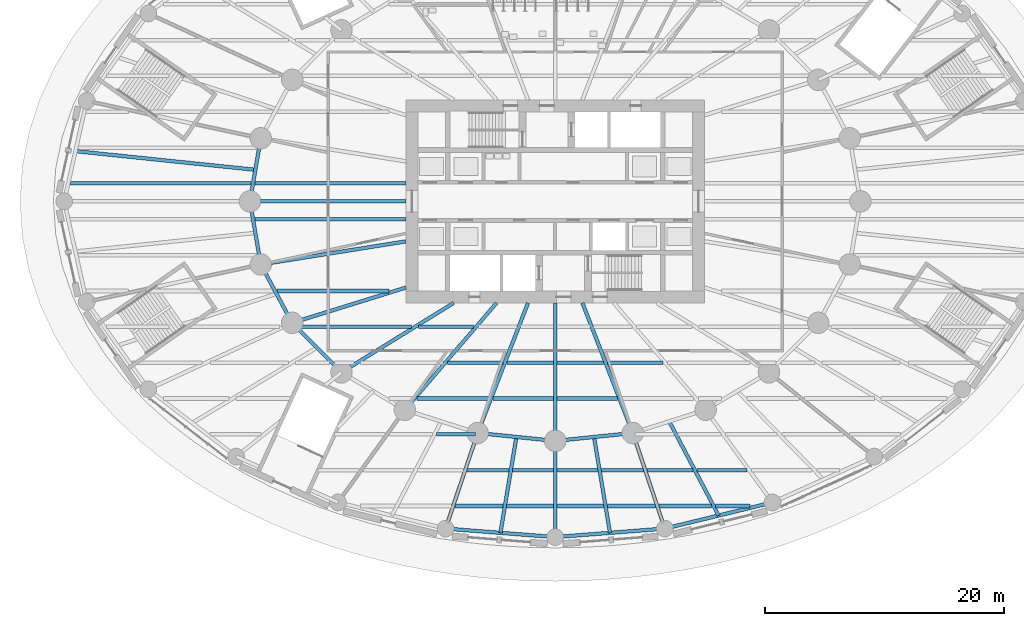
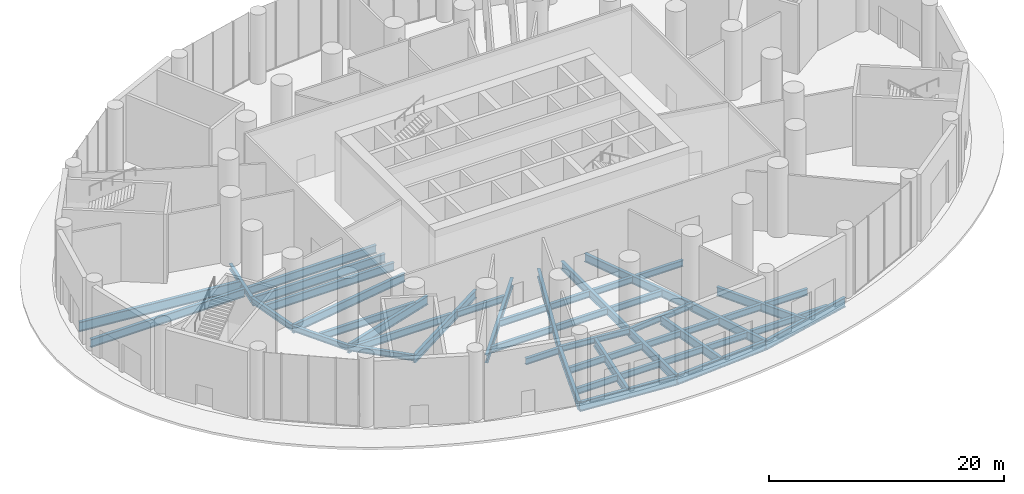
# One storey, part 3 of 22: 50 beams.
"""IFC4 building model written with IfcOpenShell, lengths in metres."""

from ifc_helpers import new_model, si_unit, direction, frame, origin, origin_2d, place, context, subcontext, project, spatial, i_section, extrude, material, material_profile, profile_set, type_object, element, save


model = new_model("IFC4")

# Units and contexts
model_context = context("Model", 3, precision=1e-05, world=origin(), true_north=direction((0.0, 1.0)))
body_context = subcontext(model_context, "Body", "Model", "MODEL_VIEW")
ifc_project = project(units=[si_unit("LENGTHUNIT", "METRE"), si_unit("AREAUNIT", "SQUARE_METRE"), si_unit("VOLUMEUNIT", "CUBIC_METRE"), si_unit("PLANEANGLEUNIT", "RADIAN"), si_unit("MASSUNIT", "GRAM", prefix="KILO")], contexts=[model_context])

# Site, building, storey
site_placement = place(None, origin())
site = spatial("IfcSite", under=ifc_project, at=site_placement, CompositionType="ELEMENT")
building_placement = place(site_placement, origin())
building = spatial("IfcBuilding", under=site, at=building_placement, Name="Hankou Lantern Tower", CompositionType="ELEMENT")
storey_placement = place(building_placement, origin())
storey = spatial("IfcBuildingStorey", under=building, at=storey_placement, Name="L00", CompositionType="ELEMENT", Elevation=0.0)

# Beams
ifc_material_1 = material(Name="Steel Q355B", Category="steel")
ifc_material_profile_1 = material_profile(ifc_material_1, i_section(OverallWidth=0.300048828125, OverallDepth=0.587890625, WebThickness=0.011962890625, FlangeThickness=0.02001953125, FilletRadius=0.01806640625, at=origin_2d()), Name="HM588x300x12x20")
ifc_profile_set_1 = profile_set([ifc_material_profile_1], Name="Steel Q355B")
beam_type_1 = type_object("IfcBeamType", Name="EB16 RING BEAM HM588x300x12x20", PredefinedType="SPANDREL", material=ifc_profile_set_1)
for number, where, z_axis, x_axis, name in (
    (1, (-24.64697265625, 5.283203125, -0.5439453125), (-0.168489691988, -0.985703415685, 0.0), (0.985703415685, -0.168489691988, 0.0), "Ring beam R12-R13 L00"),
    (2, (-25.550048828125, 0.0, -0.5439453125), (0.168489691988, -0.985703415685, 0.0), (0.985703415685, 0.168489691988, 0.0), "Ring beam R13-R14 L00"),
):
    element("IfcBeam", number, at=place(storey_placement, frame(where, z_axis=z_axis, x_axis=x_axis)), inside=storey, type_object=beam_type_1, Name=name, PredefinedType="SPANDREL", context=body_context, shape_type="SweptSolid", body=[
        extrude(i_section(OverallWidth=0.300048828125, OverallDepth=0.587890625, WebThickness=0.011962890625, FlangeThickness=0.02001953125, FilletRadius=0.01806640625, at=origin_2d()), origin(), (0.0, 0.0, 1.0), 5.35986328125),
    ])
beam_1_placement = place(storey_placement, frame((-24.64697265625, -5.283203125, -0.5439453125), z_axis=(0.473609096023, -0.880735161194, 0.0), x_axis=(0.880735161194, 0.473609096023, 0.0)))
element("IfcBeam", 3, at=beam_1_placement, inside=storey, type_object=beam_type_1, Name="Ring beam R14-R15 L00", PredefinedType="SPANDREL", context=body_context, shape_type="SweptSolid", body=[
    extrude(i_section(OverallWidth=0.300048828125, OverallDepth=0.587890625, WebThickness=0.011962890625, FlangeThickness=0.02001953125, FilletRadius=0.01806640625, at=origin_2d()), origin(), (0.0, 0.0, 1.0), 5.548828125),
])
beam_2_placement = place(storey_placement, frame((-22.01904296875, -10.170166015625, -0.5439453125), z_axis=(0.705727798394, -0.708483079949, 0.0), x_axis=(0.708483079949, 0.705727798394, 0.0)))
element("IfcBeam", 4, at=beam_2_placement, inside=storey, type_object=beam_type_1, Name="Ring beam R15-R16 L00", PredefinedType="SPANDREL", context=body_context, shape_type="SweptSolid", body=[
    extrude(i_section(OverallWidth=0.300048828125, OverallDepth=0.587890625, WebThickness=0.011962890625, FlangeThickness=0.02001953125, FilletRadius=0.01806640625, at=origin_2d()), origin(), (0.0, 0.0, 1.0), 5.84814453125),
])
for number, where, z_axis, x_axis, name in (
    (5, (-6.494873046875, -19.391357421875, -0.5439453125), (0.994896616842, -0.100899562915, 0.0), (0.100899562915, 0.994896616842, 0.0), "Ring beam R18-R19 L00"),
    (6, (0.0, -20.050048828125, -0.5439453125), (0.994896616842, 0.100899562915, 0.0), (-0.100899562915, 0.994896616842, 0.0), "Ring beam R19-R20 L00"),
):
    element("IfcBeam", number, at=place(storey_placement, frame(where, z_axis=z_axis, x_axis=x_axis)), inside=storey, type_object=beam_type_1, Name=name, PredefinedType="SPANDREL", context=body_context, shape_type="SweptSolid", body=[
        extrude(i_section(OverallWidth=0.300048828125, OverallDepth=0.587890625, WebThickness=0.011962890625, FlangeThickness=0.02001953125, FilletRadius=0.01806640625, at=origin_2d()), origin(), (0.0, 0.0, 1.0), 6.528076171875),
    ])
ifc_material_2 = material(Name="Steel Q355B", Category="steel")
ifc_material_profile_2 = material_profile(ifc_material_2, i_section(OverallWidth=0.300048828125, OverallDepth=0.89990234375, WebThickness=0.01611328125, FlangeThickness=0.028076171875, FilletRadius=0.01806640625, at=origin_2d()), Name="HN900x300x16x28")
ifc_profile_set_2 = profile_set([ifc_material_profile_2], Name="Steel Q355B")
beam_type_2 = type_object("IfcBeamType", Name="PB13 PODIUM RADIAL BEAM HN900x300x16x28", PredefinedType="BEAM", material=ifc_profile_set_2)
beam_3_placement = place(storey_placement, frame((-6.494873046875, -19.391357421875, -0.699951171875), z_axis=(-0.317599116391, -0.948225079434, 0.0), x_axis=(0.948225079434, -0.317599116391, 0.0)))
element("IfcBeam", 7, at=beam_3_placement, inside=storey, type_object=beam_type_2, Name="Podium radial beam R18 L00", PredefinedType="BEAM", context=body_context, shape_type="SweptSolid", body=[
    extrude(i_section(OverallWidth=0.300048828125, OverallDepth=0.89990234375, WebThickness=0.01611328125, FlangeThickness=0.028076171875, FilletRadius=0.01806640625, at=origin_2d()), origin(), (0.0, 0.0, 1.0), 8.4365234375),
])
beam_4_placement = place(storey_placement, frame((0.0, -20.050048828125, -0.699951171875), z_axis=(0.0, -1.0, 0.0), x_axis=(1.0, 0.0, 0.0)))
element("IfcBeam", 8, at=beam_4_placement, inside=storey, type_object=beam_type_2, Name="Podium radial beam R19 L00", PredefinedType="BEAM", context=body_context, shape_type="SweptSolid", body=[
    extrude(i_section(OverallWidth=0.300048828125, OverallDepth=0.89990234375, WebThickness=0.01611328125, FlangeThickness=0.028076171875, FilletRadius=0.01806640625, at=origin_2d()), origin(), (0.0, 0.0, 1.0), 8.050048828125),
])
beam_5_placement = place(storey_placement, frame((6.494873046875, -19.391357421875, -0.699951171875), z_axis=(0.317599116391, -0.948225079434, 0.0), x_axis=(0.948225079434, 0.317599116391, 0.0)))
element("IfcBeam", 9, at=beam_5_placement, inside=storey, type_object=beam_type_2, Name="Podium radial beam R20 L00", PredefinedType="BEAM", context=body_context, shape_type="SweptSolid", body=[
    extrude(i_section(OverallWidth=0.300048828125, OverallDepth=0.89990234375, WebThickness=0.01611328125, FlangeThickness=0.028076171875, FilletRadius=0.01806640625, at=origin_2d()), origin(), (0.0, 0.0, 1.0), 8.4365234375),
])
ifc_material_3 = material(Name="Steel Q355B", Category="steel")
ifc_material_profile_3 = material_profile(ifc_material_3, i_section(OverallWidth=0.300048828125, OverallDepth=1.0, WebThickness=0.01904296875, FlangeThickness=0.035888671875, FilletRadius=0.01806640625, at=origin_2d()), Name="HN1000x300x19x36")
ifc_profile_set_3 = profile_set([ifc_material_profile_3], Name="Steel Q355B")
beam_type_3 = type_object("IfcBeamType", Name="PR22 PODIUM RING BEAM HN1000x300x19x36", PredefinedType="BEAM", material=ifc_profile_set_3)
for number, where, z_axis, x_axis, name in (
    (10, (-9.17431640625, -27.39111328125, -0.75), (0.997027266507, -0.077049528499, 0.0), (0.077049528499, 0.997027266507, 0.0), "Podium ring beam R18-R19 L00"),
    (11, (0.0, -28.10009765625, -0.75), (0.997027266507, 0.077049528499, 0.0), (-0.077049528499, 0.997027266507, 0.0), "Podium ring beam R19-R20 L00"),
):
    element("IfcBeam", number, at=place(storey_placement, frame(where, z_axis=z_axis, x_axis=x_axis)), inside=storey, type_object=beam_type_3, Name=name, PredefinedType="BEAM", context=body_context, shape_type="SweptSolid", body=[
        extrude(i_section(OverallWidth=0.300048828125, OverallDepth=1.0, WebThickness=0.01904296875, FlangeThickness=0.035888671875, FilletRadius=0.01806640625, at=origin_2d()), origin(), (0.0, 0.0, 1.0), 9.20166015625),
    ])
beam_6_placement = place(storey_placement, frame((9.17431640625, -27.39111328125, -0.75), z_axis=(0.971677242441, 0.23631194748, 0.0), x_axis=(-0.23631194748, 0.971677242441, 0.0)))
element("IfcBeam", 12, at=beam_6_placement, inside=storey, type_object=beam_type_3, Name="Podium ring beam R20-R21 L00", PredefinedType="BEAM", context=body_context, shape_type="SweptSolid", body=[
    extrude(i_section(OverallWidth=0.300048828125, OverallDepth=1.0, WebThickness=0.01904296875, FlangeThickness=0.035888671875, FilletRadius=0.01806640625, at=origin_2d()), origin(), (0.0, 0.0, 1.0), 9.2744140625),
])
ifc_material_4 = material(Name="Steel Q355B", Category="steel")
ifc_material_profile_4 = material_profile(ifc_material_4, i_section(OverallWidth=0.300048828125, OverallDepth=0.89990234375, WebThickness=0.01611328125, FlangeThickness=0.028076171875, FilletRadius=0.01806640625, at=origin_2d()), Name="HN900x300x16x28")
ifc_profile_set_4 = profile_set([ifc_material_profile_4], Name="Steel Q355B")
beam_type_4 = type_object("IfcBeamType", Name="PS13 PODIUM SECONDARY BEAM HN900x300x16x28", PredefinedType="JOIST", material=ifc_profile_set_4)
for number, where, z_axis, x_axis, name in (
    (13, (-3.24755859375, -19.720703125, -0.699951171875), (-0.164652019445, -0.986351718452, 0.0), (0.986351718452, -0.164652019445, 0.0), "Podium secondary beam bay R18 L00"),
    (14, (3.24755859375, -19.720703125, -0.699951171875), (0.164652019445, -0.986351718452, 0.0), (0.986351718452, 0.164652019445, 0.0), "Podium secondary beam bay R19 L00"),
):
    element("IfcBeam", number, at=place(storey_placement, frame(where, z_axis=z_axis, x_axis=x_axis)), inside=storey, type_object=beam_type_4, Name=name, PredefinedType="JOIST", context=body_context, shape_type="SweptSolid", body=[
        extrude(i_section(OverallWidth=0.300048828125, OverallDepth=0.89990234375, WebThickness=0.01611328125, FlangeThickness=0.028076171875, FilletRadius=0.01806640625, at=origin_2d()), origin(), (0.0, 0.0, 1.0), 8.135986328125),
    ])
beam_7_placement = place(storey_placement, frame((9.54296875, -18.4189453125, -0.699951171875), z_axis=(0.465026961303, -0.88529651827, 0.0), x_axis=(0.88529651827, 0.465026961303, 0.0)))
element("IfcBeam", 15, at=beam_7_placement, inside=storey, type_object=beam_type_4, Name="Podium secondary beam bay R20 L00", PredefinedType="JOIST", context=body_context, shape_type="SweptSolid", body=[
    extrude(i_section(OverallWidth=0.300048828125, OverallDepth=0.89990234375, WebThickness=0.01611328125, FlangeThickness=0.028076171875, FilletRadius=0.01806640625, at=origin_2d()), origin(), (0.0, 0.0, 1.0), 8.896728515625),
])
ifc_material_5 = material(Name="Steel Q355B", Category="steel")
ifc_material_profile_5 = material_profile(ifc_material_5, i_section(OverallWidth=0.300048828125, OverallDepth=1.0, WebThickness=0.01904296875, FlangeThickness=0.035888671875, FilletRadius=0.01806640625, at=origin_2d()), Name="HN1000x300x19x36")
ifc_profile_set_5 = profile_set([ifc_material_profile_5], Name="Steel Q355B")
beam_type_5 = type_object("IfcBeamType", Name="PS22 PODIUM SECONDARY BEAM HN1000x300x19x36", PredefinedType="JOIST", material=ifc_profile_set_5)
beam_8_placement = place(storey_placement, frame((-25.098388671875, 2.6416015625, -0.75), z_axis=(-0.994666039581, 0.103147805132, 0.0), x_axis=(-0.103147805132, -0.994666039581, 0.0)))
element("IfcBeam", 16, at=beam_8_placement, inside=storey, type_object=beam_type_5, Name="Podium secondary beam bay R12 L00", PredefinedType="JOIST", context=body_context, shape_type="SweptSolid", body=[
    extrude(i_section(OverallWidth=0.300048828125, OverallDepth=1.0, WebThickness=0.01904296875, FlangeThickness=0.035888671875, FilletRadius=0.01806640625, at=origin_2d()), origin(), (0.0, 0.0, 1.0), 15.14111328125),
])
ifc_material_6 = material(Name="Steel Q355B", Category="steel")
ifc_material_profile_6 = material_profile(ifc_material_6, i_section(OverallWidth=0.300048828125, OverallDepth=0.85009765625, WebThickness=0.01611328125, FlangeThickness=0.027099609375, FilletRadius=0.01806640625, at=origin_2d()), Name="HN850x300x16x27")
ifc_profile_set_6 = profile_set([ifc_material_profile_6], Name="Steel Q355B")
beam_type_6 = type_object("IfcBeamType", Name="RB12 RADIAL BEAM HN850x300x16x27", PredefinedType="BEAM", material=ifc_profile_set_6)
beam_9_placement = place(storey_placement, frame((-12.5, -3.349365234375, -0.675048828125), z_axis=(-0.987563081343, -0.157223281893, 0.0), x_axis=(0.157223281893, -0.987563081343, 0.0)))
element("IfcBeam", 17, at=beam_9_placement, inside=storey, type_object=beam_type_6, Name="Radial beam R14 L00", PredefinedType="BEAM", context=body_context, shape_type="SweptSolid", body=[
    extrude(i_section(OverallWidth=0.300048828125, OverallDepth=0.85009765625, WebThickness=0.01611328125, FlangeThickness=0.027099609375, FilletRadius=0.01806640625, at=origin_2d()), origin(), (0.0, 0.0, 1.0), 12.300048828125),
])
beam_10_placement = place(storey_placement, frame((-8.5, -8.5, -0.675048828125), z_axis=(-0.850286343288, -0.526320372414, 0.0), x_axis=(0.526320372414, -0.850286343288, 0.0)))
element("IfcBeam", 18, at=beam_10_placement, inside=storey, type_object=beam_type_6, Name="Radial beam R16 L00", PredefinedType="BEAM", context=body_context, shape_type="SweptSolid", body=[
    extrude(i_section(OverallWidth=0.300048828125, OverallDepth=0.85009765625, WebThickness=0.01611328125, FlangeThickness=0.027099609375, FilletRadius=0.01806640625, at=origin_2d()), origin(), (0.0, 0.0, 1.0), 11.04541015625),
])
beam_11_placement = place(storey_placement, frame((-4.907470703125, -8.5, -0.675048828125), z_axis=(-0.651519061225, -0.758632264579, 0.0), x_axis=(0.758632264579, -0.651519061225, 0.0)))
element("IfcBeam", 19, at=beam_11_placement, inside=storey, type_object=beam_type_6, Name="Radial beam R17 L00", PredefinedType="BEAM", context=body_context, shape_type="SweptSolid", body=[
    extrude(i_section(OverallWidth=0.300048828125, OverallDepth=0.85009765625, WebThickness=0.01611328125, FlangeThickness=0.027099609375, FilletRadius=0.01806640625, at=origin_2d()), origin(), (0.0, 0.0, 1.0), 11.79296875),
])
beam_12_placement = place(storey_placement, frame((-2.277587890625, -8.5, -0.675048828125), z_axis=(-0.361089103374, -0.932531318201, 0.0), x_axis=(0.932531318201, -0.361089103374, 0.0)))
element("IfcBeam", 20, at=beam_12_placement, inside=storey, type_object=beam_type_6, Name="Radial beam R18 L00", PredefinedType="BEAM", context=body_context, shape_type="SweptSolid", body=[
    extrude(i_section(OverallWidth=0.300048828125, OverallDepth=0.85009765625, WebThickness=0.01611328125, FlangeThickness=0.027099609375, FilletRadius=0.01806640625, at=origin_2d()), origin(), (0.0, 0.0, 1.0), 11.679443359375),
])
beam_13_placement = place(storey_placement, frame((0.0, -8.5, -0.675048828125), z_axis=(0.0, -1.0, 0.0), x_axis=(1.0, 0.0, 0.0)))
element("IfcBeam", 21, at=beam_13_placement, inside=storey, type_object=beam_type_6, Name="Radial beam R19 L00", PredefinedType="BEAM", context=body_context, shape_type="SweptSolid", body=[
    extrude(i_section(OverallWidth=0.300048828125, OverallDepth=0.85009765625, WebThickness=0.01611328125, FlangeThickness=0.027099609375, FilletRadius=0.01806640625, at=origin_2d()), origin(), (0.0, 0.0, 1.0), 11.550048828125),
])
beam_14_placement = place(storey_placement, frame((2.277587890625, -8.5, -0.675048828125), z_axis=(0.361089103374, -0.932531318201, 0.0), x_axis=(0.932531318201, 0.361089103374, 0.0)))
element("IfcBeam", 22, at=beam_14_placement, inside=storey, type_object=beam_type_6, Name="Radial beam R20 L00", PredefinedType="BEAM", context=body_context, shape_type="SweptSolid", body=[
    extrude(i_section(OverallWidth=0.300048828125, OverallDepth=0.85009765625, WebThickness=0.01611328125, FlangeThickness=0.027099609375, FilletRadius=0.01806640625, at=origin_2d()), origin(), (0.0, 0.0, 1.0), 11.679443359375),
])
ifc_material_7 = material(Name="Steel Q355B", Category="steel")
ifc_material_profile_7 = material_profile(ifc_material_7, i_section(OverallWidth=0.300048828125, OverallDepth=0.89990234375, WebThickness=0.01611328125, FlangeThickness=0.028076171875, FilletRadius=0.01806640625, at=origin_2d()), Name="HN900x300x16x28")
ifc_profile_set_7 = profile_set([ifc_material_profile_7], Name="Steel Q355B")
beam_type_7 = type_object("IfcBeamType", Name="RB13 RADIAL BEAM HN900x300x16x28", PredefinedType="BEAM", material=ifc_profile_set_7)
beam_15_placement = place(storey_placement, frame((-12.5, 0.0, -0.699951171875), z_axis=(-1.0, 0.0, 0.0), x_axis=(0.0, -1.0, 0.0)))
element("IfcBeam", 23, at=beam_15_placement, inside=storey, type_object=beam_type_7, Name="Radial beam R13 L00", PredefinedType="BEAM", context=body_context, shape_type="SweptSolid", body=[
    extrude(i_section(OverallWidth=0.300048828125, OverallDepth=0.89990234375, WebThickness=0.01611328125, FlangeThickness=0.028076171875, FilletRadius=0.01806640625, at=origin_2d()), origin(), (0.0, 0.0, 1.0), 13.050048828125),
])
beam_16_placement = place(storey_placement, frame((-12.5, -7.216796875, -0.699951171875), z_axis=(-0.955087327755, -0.29632447817, 0.0), x_axis=(0.29632447817, -0.955087327755, 0.0)))
element("IfcBeam", 24, at=beam_16_placement, inside=storey, type_object=beam_type_7, Name="Radial beam R15 L00", PredefinedType="BEAM", context=body_context, shape_type="SweptSolid", body=[
    extrude(i_section(OverallWidth=0.300048828125, OverallDepth=0.89990234375, WebThickness=0.01611328125, FlangeThickness=0.028076171875, FilletRadius=0.01806640625, at=origin_2d()), origin(), (0.0, 0.0, 1.0), 9.966552734375),
])
ifc_material_8 = material(Name="Steel Q355B", Category="steel")
ifc_material_profile_8 = material_profile(ifc_material_8, i_section(OverallWidth=0.300048828125, OverallDepth=0.75, WebThickness=0.012939453125, FlangeThickness=0.02392578125, FilletRadius=0.01806640625, at=origin_2d()), Name="HN750x300x13x24")
ifc_profile_set_8 = profile_set([ifc_material_profile_8], Name="Steel Q355B")
beam_type_8 = type_object("IfcBeamType", Name="SB10 SECONDARY BEAM HN750x300x13x24", PredefinedType="JOIST", material=ifc_profile_set_8)
beam_17_placement = place(storey_placement, frame((-21.478759765625, -10.5, -0.625), z_axis=(1.0, 0.0, 0.0), x_axis=(0.0, 1.0, 0.0)))
element("IfcBeam", 25, at=beam_17_placement, inside=storey, type_object=beam_type_8, Name="Floor joist J061 L00", PredefinedType="JOIST", context=body_context, shape_type="SweptSolid", body=[
    extrude(i_section(OverallWidth=0.300048828125, OverallDepth=0.75, WebThickness=0.012939453125, FlangeThickness=0.02392578125, FilletRadius=0.01806640625, at=origin_2d()), origin(), (0.0, 0.0, 1.0), 9.462646484375),
])
beam_18_placement = place(storey_placement, frame((-23.28466796875, -7.5, -0.625), z_axis=(1.0, 0.0, 0.0), x_axis=(0.0, 1.0, 0.0)))
element("IfcBeam", 26, at=beam_18_placement, inside=storey, type_object=beam_type_8, Name="Floor joist J073 L00", PredefinedType="JOIST", context=body_context, shape_type="SweptSolid", body=[
    extrude(i_section(OverallWidth=0.300048828125, OverallDepth=0.75, WebThickness=0.012939453125, FlangeThickness=0.02392578125, FilletRadius=0.01806640625, at=origin_2d()), origin(), (0.0, 0.0, 1.0), 9.365966796875),
])
ifc_material_9 = material(Name="Steel Q355B", Category="steel")
ifc_material_profile_9 = material_profile(ifc_material_9, i_section(OverallWidth=0.300048828125, OverallDepth=0.85009765625, WebThickness=0.01611328125, FlangeThickness=0.027099609375, FilletRadius=0.01806640625, at=origin_2d()), Name="HN850x300x16x27")
ifc_profile_set_9 = profile_set([ifc_material_profile_9], Name="Steel Q355B")
beam_type_9 = type_object("IfcBeamType", Name="SB12 SECONDARY BEAM HN850x300x16x27", PredefinedType="JOIST", material=ifc_profile_set_9)
beam_19_placement = place(storey_placement, frame((-25.141357421875, -1.5, -0.675048828125), z_axis=(1.0, 0.0, 0.0), x_axis=(0.0, 1.0, 0.0)))
element("IfcBeam", 27, at=beam_19_placement, inside=storey, type_object=beam_type_9, Name="Floor joist J084 L00", PredefinedType="JOIST", context=body_context, shape_type="SweptSolid", body=[
    extrude(i_section(OverallWidth=0.300048828125, OverallDepth=0.85009765625, WebThickness=0.01611328125, FlangeThickness=0.027099609375, FilletRadius=0.01806640625, at=origin_2d()), origin(), (0.0, 0.0, 1.0), 12.641357421875),
])
beam_20_placement = place(storey_placement, frame((-40.6103515625, 1.5, -0.675048828125), z_axis=(1.0, 0.0, 0.0), x_axis=(0.0, 1.0, 0.0)))
element("IfcBeam", 28, at=beam_20_placement, inside=storey, type_object=beam_type_9, Name="Floor joist J087 L00", PredefinedType="JOIST", context=body_context, shape_type="SweptSolid", body=[
    extrude(i_section(OverallWidth=0.300048828125, OverallDepth=0.85009765625, WebThickness=0.01611328125, FlangeThickness=0.027099609375, FilletRadius=0.01806640625, at=origin_2d()), origin(), (0.0, 0.0, 1.0), 15.16455078125),
])
beam_21_placement = place(storey_placement, frame((-25.141357421875, 1.5, -0.675048828125), z_axis=(1.0, 0.0, 0.0), x_axis=(0.0, 1.0, 0.0)))
element("IfcBeam", 29, at=beam_21_placement, inside=storey, type_object=beam_type_9, Name="Floor joist J088 L00", PredefinedType="JOIST", context=body_context, shape_type="SweptSolid", body=[
    extrude(i_section(OverallWidth=0.300048828125, OverallDepth=0.85009765625, WebThickness=0.01611328125, FlangeThickness=0.027099609375, FilletRadius=0.01806640625, at=origin_2d()), origin(), (0.0, 0.0, 1.0), 12.641357421875),
])
ifc_material_10 = material(Name="Steel Q355B", Category="steel")
ifc_material_profile_10 = material_profile(ifc_material_10, i_section(OverallWidth=0.300048828125, OverallDepth=0.64990234375, WebThickness=0.010986328125, FlangeThickness=0.01708984375, FilletRadius=0.01806640625, at=origin_2d()), Name="HN650x300x11x17")
ifc_profile_set_10 = profile_set([ifc_material_profile_10], Name="Steel Q355B")
beam_type_10 = type_object("IfcBeamType", Name="SB8 SECONDARY BEAM HN650x300x11x17", PredefinedType="JOIST", material=ifc_profile_set_10)
beam_22_placement = place(storey_placement, frame((-8.3828125, -25.5, -0.574951171875), z_axis=(1.0, 0.0, 0.0), x_axis=(0.0, 1.0, 0.0)))
element("IfcBeam", 30, at=beam_22_placement, inside=storey, type_object=beam_type_10, Name="Floor joist J003 L00", PredefinedType="JOIST", context=body_context, shape_type="SweptSolid", body=[
    extrude(i_section(OverallWidth=0.300048828125, OverallDepth=0.64990234375, WebThickness=0.010986328125, FlangeThickness=0.01708984375, FilletRadius=0.01806640625, at=origin_2d()), origin(), (0.0, 0.0, 1.0), 4.0185546875),
])
for number, where, z_axis, x_axis, name in (
    (31, (-4.060302734375, -25.5, -0.574951171875), (1.0, 0.0, 0.0), (0.0, 1.0, 0.0), "Floor joist J004 L00"),
    (32, (0.14990234375, -25.5, -0.574951171875), (1.0, 0.0, 0.0), (0.0, 1.0, 0.0), "Floor joist J005 L00"),
):
    element("IfcBeam", number, at=place(storey_placement, frame(where, z_axis=z_axis, x_axis=x_axis)), inside=storey, type_object=beam_type_10, Name=name, PredefinedType="JOIST", context=body_context, shape_type="SweptSolid", body=[
        extrude(i_section(OverallWidth=0.300048828125, OverallDepth=0.64990234375, WebThickness=0.010986328125, FlangeThickness=0.01708984375, FilletRadius=0.01806640625, at=origin_2d()), origin(), (0.0, 0.0, 1.0), 3.910400390625),
    ])
beam_23_placement = place(storey_placement, frame((4.3642578125, -25.5, -0.574951171875), z_axis=(1.0, 0.0, 0.0), x_axis=(0.0, 1.0, 0.0)))
element("IfcBeam", 33, at=beam_23_placement, inside=storey, type_object=beam_type_10, Name="Floor joist J006 L00", PredefinedType="JOIST", context=body_context, shape_type="SweptSolid", body=[
    extrude(i_section(OverallWidth=0.300048828125, OverallDepth=0.64990234375, WebThickness=0.010986328125, FlangeThickness=0.01708984375, FilletRadius=0.01806640625, at=origin_2d()), origin(), (0.0, 0.0, 1.0), 4.0185546875),
])
beam_24_placement = place(storey_placement, frame((8.698974609375, -25.5, -0.574951171875), z_axis=(1.0, 0.0, 0.0), x_axis=(0.0, 1.0, 0.0)))
element("IfcBeam", 34, at=beam_24_placement, inside=storey, type_object=beam_type_10, Name="Floor joist J007 L00", PredefinedType="JOIST", context=body_context, shape_type="SweptSolid", body=[
    extrude(i_section(OverallWidth=0.300048828125, OverallDepth=0.64990234375, WebThickness=0.010986328125, FlangeThickness=0.01708984375, FilletRadius=0.01806640625, at=origin_2d()), origin(), (0.0, 0.0, 1.0), 4.39404296875),
])
beam_25_placement = place(storey_placement, frame((13.431884765625, -25.5, -0.574951171875), z_axis=(1.0, 0.0, 0.0), x_axis=(0.0, 1.0, 0.0)))
element("IfcBeam", 35, at=beam_25_placement, inside=storey, type_object=beam_type_10, Name="Floor joist J008 L00", PredefinedType="JOIST", context=body_context, shape_type="SweptSolid", body=[
    extrude(i_section(OverallWidth=0.300048828125, OverallDepth=0.64990234375, WebThickness=0.010986328125, FlangeThickness=0.01708984375, FilletRadius=0.01806640625, at=origin_2d()), origin(), (0.0, 0.0, 1.0), 2.883544921875),
])
beam_26_placement = place(storey_placement, frame((-7.3779296875, -22.5, -0.574951171875), z_axis=(1.0, 0.0, 0.0), x_axis=(0.0, 1.0, 0.0)))
element("IfcBeam", 36, at=beam_26_placement, inside=storey, type_object=beam_type_10, Name="Floor joist J013 L00", PredefinedType="JOIST", context=body_context, shape_type="SweptSolid", body=[
    extrude(i_section(OverallWidth=0.300048828125, OverallDepth=0.64990234375, WebThickness=0.010986328125, FlangeThickness=0.01708984375, FilletRadius=0.01806640625, at=origin_2d()), origin(), (0.0, 0.0, 1.0), 3.514404296875),
])
for number, where, z_axis, x_axis, name in (
    (37, (-3.559326171875, -22.5, -0.574951171875), (1.0, 0.0, 0.0), (0.0, 1.0, 0.0), "Floor joist J014 L00"),
    (38, (0.14990234375, -22.5, -0.574951171875), (1.0, 0.0, 0.0), (0.0, 1.0, 0.0), "Floor joist J015 L00"),
):
    element("IfcBeam", number, at=place(storey_placement, frame(where, z_axis=z_axis, x_axis=x_axis)), inside=storey, type_object=beam_type_10, Name=name, PredefinedType="JOIST", context=body_context, shape_type="SweptSolid", body=[
        extrude(i_section(OverallWidth=0.300048828125, OverallDepth=0.64990234375, WebThickness=0.010986328125, FlangeThickness=0.01708984375, FilletRadius=0.01806640625, at=origin_2d()), origin(), (0.0, 0.0, 1.0), 3.409423828125),
    ])
beam_27_placement = place(storey_placement, frame((3.863525390625, -22.5, -0.574951171875), z_axis=(1.0, 0.0, 0.0), x_axis=(0.0, 1.0, 0.0)))
element("IfcBeam", 39, at=beam_27_placement, inside=storey, type_object=beam_type_10, Name="Floor joist J016 L00", PredefinedType="JOIST", context=body_context, shape_type="SweptSolid", body=[
    extrude(i_section(OverallWidth=0.300048828125, OverallDepth=0.64990234375, WebThickness=0.010986328125, FlangeThickness=0.01708984375, FilletRadius=0.01806640625, at=origin_2d()), origin(), (0.0, 0.0, 1.0), 3.514404296875),
])
beam_28_placement = place(storey_placement, frame((7.6943359375, -22.5, -0.574951171875), z_axis=(1.0, 0.0, 0.0), x_axis=(0.0, 1.0, 0.0)))
element("IfcBeam", 40, at=beam_28_placement, inside=storey, type_object=beam_type_10, Name="Floor joist J017 L00", PredefinedType="JOIST", context=body_context, shape_type="SweptSolid", body=[
    extrude(i_section(OverallWidth=0.300048828125, OverallDepth=0.64990234375, WebThickness=0.010986328125, FlangeThickness=0.01708984375, FilletRadius=0.01806640625, at=origin_2d()), origin(), (0.0, 0.0, 1.0), 3.82275390625),
])
beam_29_placement = place(storey_placement, frame((11.85595703125, -22.5, -0.574951171875), z_axis=(1.0, 0.0, 0.0), x_axis=(0.0, 1.0, 0.0)))
element("IfcBeam", 41, at=beam_29_placement, inside=storey, type_object=beam_type_10, Name="Floor joist J018 L00", PredefinedType="JOIST", context=body_context, shape_type="SweptSolid", body=[
    extrude(i_section(OverallWidth=0.300048828125, OverallDepth=0.64990234375, WebThickness=0.010986328125, FlangeThickness=0.01708984375, FilletRadius=0.01806640625, at=origin_2d()), origin(), (0.0, 0.0, 1.0), 4.197021484375),
])
beam_30_placement = place(storey_placement, frame((-9.94140625, -19.5, -0.574951171875), z_axis=(1.0, 0.0, 0.0), x_axis=(0.0, 1.0, 0.0)))
element("IfcBeam", 42, at=beam_30_placement, inside=storey, type_object=beam_type_10, Name="Floor joist J025 L00", PredefinedType="JOIST", context=body_context, shape_type="SweptSolid", body=[
    extrude(i_section(OverallWidth=0.300048828125, OverallDepth=0.64990234375, WebThickness=0.010986328125, FlangeThickness=0.01708984375, FilletRadius=0.01806640625, at=origin_2d()), origin(), (0.0, 0.0, 1.0), 3.251953125),
])
beam_31_placement = place(storey_placement, frame((-11.580322265625, -16.5, -0.574951171875), z_axis=(1.0, 0.0, 0.0), x_axis=(0.0, 1.0, 0.0)))
element("IfcBeam", 43, at=beam_31_placement, inside=storey, type_object=beam_type_10, Name="Floor joist J037 L00", PredefinedType="JOIST", context=body_context, shape_type="SweptSolid", body=[
    extrude(i_section(OverallWidth=0.300048828125, OverallDepth=0.64990234375, WebThickness=0.010986328125, FlangeThickness=0.01708984375, FilletRadius=0.01806640625, at=origin_2d()), origin(), (0.0, 0.0, 1.0), 6.044189453125),
])
for number, where, z_axis, x_axis, name in (
    (44, (-5.21435546875, -16.5, -0.574951171875), (1.0, 0.0, 0.0), (0.0, 1.0, 0.0), "Floor joist J038 L00"),
    (45, (0.14990234375, -16.5, -0.574951171875), (1.0, 0.0, 0.0), (0.0, 1.0, 0.0), "Floor joist J039 L00"),
):
    element("IfcBeam", number, at=place(storey_placement, frame(where, z_axis=z_axis, x_axis=x_axis)), inside=storey, type_object=beam_type_10, Name=name, PredefinedType="JOIST", context=body_context, shape_type="SweptSolid", body=[
        extrude(i_section(OverallWidth=0.300048828125, OverallDepth=0.64990234375, WebThickness=0.010986328125, FlangeThickness=0.01708984375, FilletRadius=0.01806640625, at=origin_2d()), origin(), (0.0, 0.0, 1.0), 5.064453125),
    ])
beam_32_placement = place(storey_placement, frame((-9.00390625, -13.5, -0.574951171875), z_axis=(1.0, 0.0, 0.0), x_axis=(0.0, 1.0, 0.0)))
element("IfcBeam", 46, at=beam_32_placement, inside=storey, type_object=beam_type_10, Name="Floor joist J050 L00", PredefinedType="JOIST", context=body_context, shape_type="SweptSolid", body=[
    extrude(i_section(OverallWidth=0.300048828125, OverallDepth=0.64990234375, WebThickness=0.010986328125, FlangeThickness=0.01708984375, FilletRadius=0.01806640625, at=origin_2d()), origin(), (0.0, 0.0, 1.0), 4.62939453125),
])
for number, where, z_axis, x_axis, name in (
    (47, (-4.052734375, -13.5, -0.574951171875), (1.0, 0.0, 0.0), (0.0, 1.0, 0.0), "Floor joist J051 L00"),
    (48, (0.14990234375, -13.5, -0.574951171875), (1.0, 0.0, 0.0), (0.0, 1.0, 0.0), "Floor joist J052 L00"),
):
    element("IfcBeam", number, at=place(storey_placement, frame(where, z_axis=z_axis, x_axis=x_axis)), inside=storey, type_object=beam_type_10, Name=name, PredefinedType="JOIST", context=body_context, shape_type="SweptSolid", body=[
        extrude(i_section(OverallWidth=0.300048828125, OverallDepth=0.64990234375, WebThickness=0.010986328125, FlangeThickness=0.01708984375, FilletRadius=0.01806640625, at=origin_2d()), origin(), (0.0, 0.0, 1.0), 3.90283203125),
    ])
beam_33_placement = place(storey_placement, frame((4.37451171875, -13.5, -0.574951171875), z_axis=(1.0, 0.0, 0.0), x_axis=(0.0, 1.0, 0.0)))
element("IfcBeam", 49, at=beam_33_placement, inside=storey, type_object=beam_type_10, Name="Floor joist J053 L00", PredefinedType="JOIST", context=body_context, shape_type="SweptSolid", body=[
    extrude(i_section(OverallWidth=0.300048828125, OverallDepth=0.64990234375, WebThickness=0.010986328125, FlangeThickness=0.01708984375, FilletRadius=0.01806640625, at=origin_2d()), origin(), (0.0, 0.0, 1.0), 4.62939453125),
])
beam_34_placement = place(storey_placement, frame((-11.446044921875, -10.5, -0.574951171875), z_axis=(1.0, 0.0, 0.0), x_axis=(0.0, 1.0, 0.0)))
element("IfcBeam", 50, at=beam_34_placement, inside=storey, type_object=beam_type_10, Name="Floor joist J062 L00", PredefinedType="JOIST", context=body_context, shape_type="SweptSolid", body=[
    extrude(i_section(OverallWidth=0.300048828125, OverallDepth=0.64990234375, WebThickness=0.010986328125, FlangeThickness=0.01708984375, FilletRadius=0.01806640625, at=origin_2d()), origin(), (0.0, 0.0, 1.0), 4.623291015625),
])

save(model, "model.ifc")
